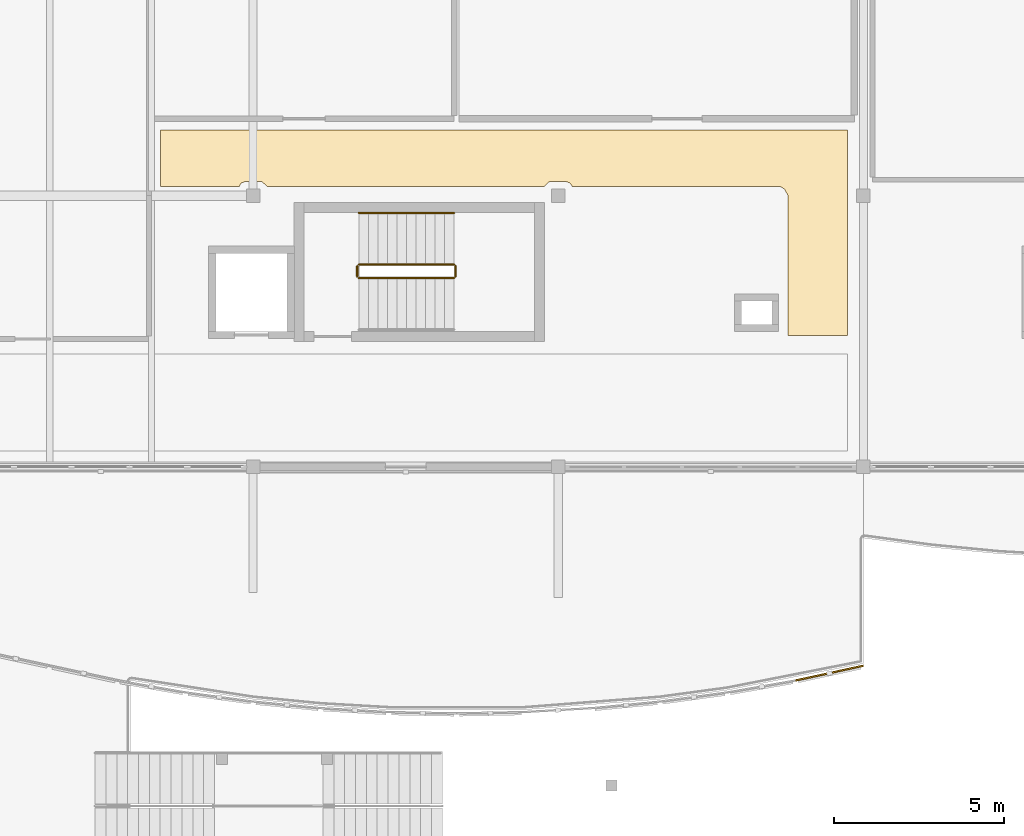
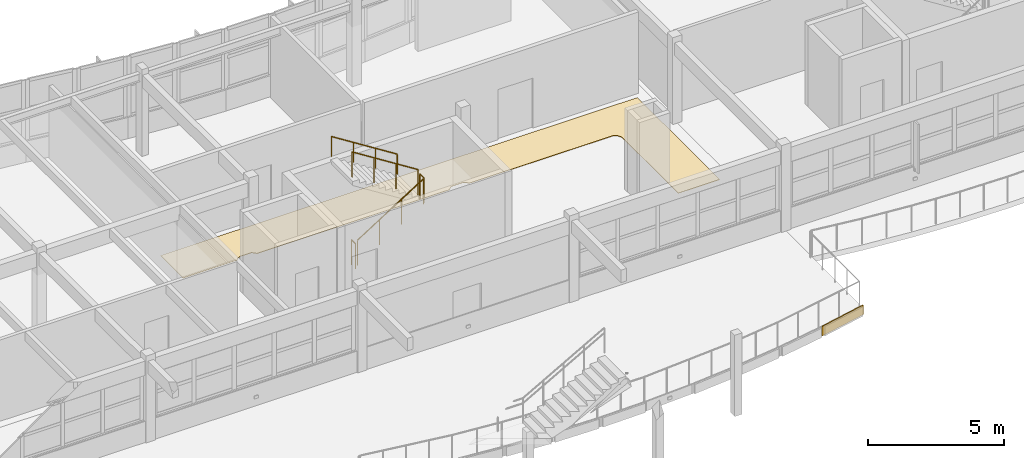
# One storey, part 47 of 52: 5 railings, 2 coverings.
"""IFC4 building model written with IfcOpenShell, lengths in metres."""

from ifc_helpers import new_model, si_unit, direction, frame, origin, origin_2d, place, context, subcontext, project, spatial, polyline, circle, outline, extrude, material, layer, layer_set, type_object, element, save


model = new_model("IFC4")

# Units and contexts
model_context = context("Model", 3, precision=1e-05, world=origin(), true_north=direction((0.0, 1.0)))
body_context = subcontext(model_context, "Body", "Model", "MODEL_VIEW")
ifc_project = project(units=[si_unit("LENGTHUNIT", "METRE"), si_unit("AREAUNIT", "SQUARE_METRE"), si_unit("VOLUMEUNIT", "CUBIC_METRE"), si_unit("PLANEANGLEUNIT", "RADIAN"), si_unit("MASSUNIT", "GRAM", prefix="KILO")], contexts=[model_context])

# Site, building, storey
site_placement = place(None, origin())
site = spatial("IfcSite", under=ifc_project, at=site_placement, CompositionType="ELEMENT")
building_placement = place(site_placement, origin())
building = spatial("IfcBuilding", under=site, at=building_placement, Name="Tonlespit Floodbar School", CompositionType="ELEMENT")
storey_placement = place(building_placement, frame((0.0, 0.0, 12.300048828125)))
storey = spatial("IfcBuildingStorey", under=building, at=storey_placement, Name="L03", CompositionType="ELEMENT", Elevation=12.300048828125)

# Coverings
ifc_material_1 = material(Name="White Architectural Aluminium", Category="aluminium")
ifc_layer_1 = layer(ifc_material_1, 0.050048828125)
ifc_layer_set_1 = layer_set([ifc_layer_1], Name="White Architectural Aluminium")
covering_type_1 = type_object("IfcCoveringType", Name="Cladding_WhiteBand_50", PredefinedType="CLADDING", material=ifc_layer_set_1)
covering_1_placement = place(storey_placement, frame((0.0, 0.0, -0.300048828125)))
element("IfcCovering", 1, at=covering_1_placement, inside=storey, type_object=covering_type_1, Name="L03 curved white spandrel cladding 0296", PredefinedType="CLADDING", context=body_context, shape_type="SweptSolid", body=[
    extrude(outline(polyline([(114.0, 97.72705078125), (116.0, 98.159912109375), (116.0, 98.110107421875), (114.0, 97.677001953125), (114.0, 97.72705078125)])), origin(), (0.0, 0.0, 1.0), 0.419921875),
])
ifc_material_2 = material(Name="Terrazzo Tile")
ifc_layer_2 = layer(ifc_material_2, 0.02001953125)
ifc_layer_set_2 = layer_set([ifc_layer_2], Name="Terrazzo Tile")
covering_type_2 = type_object("IfcCoveringType", Name="Flooring_Terrazzo_20", PredefinedType="FLOORING", material=ifc_layer_set_2)
covering_2_placement = place(storey_placement, origin())
element("IfcCovering", 2, at=covering_2_placement, inside=storey, type_object=covering_type_2, Name="L03 East Lobby Passage L03 terrazzo flooring", PredefinedType="FLOORING", context=body_context, shape_type="SweptSolid", body=[
    extrude(outline(polyline([(97.586669921875, 112.27001953125), (95.27001953125, 112.27001953125), (95.27001953125, 113.929931640625), (115.530029296875, 113.929931640625), (115.530029296875, 107.8701171875), (113.77001953125, 107.8701171875), (113.76904296875, 112.01953125), (113.66845703125, 112.195556640625), (113.552734375, 112.264892578125), (107.413330078125, 112.27001953125), (107.346923828125, 112.37451171875), (107.219970703125, 112.419921875), (106.740966796875, 112.416259765625), (106.586669921875, 112.27001953125), (98.413330078125, 112.27001953125), (98.259033203125, 112.416259765625), (97.780029296875, 112.419921875), (97.653076171875, 112.37451171875), (97.586669921875, 112.27001953125)])), origin(), (0.0, 0.0, 1.0), 0.02001953125),
])

# Railings
ifc_material_3 = material(Name="Galvanised Steel", Category="steel")
railing_type_1 = type_object("IfcRailingType", Name="Guard_Int_1150", PredefinedType="BALUSTRADE", material=ifc_material_3)
railing_1_placement = place(storey_placement, frame((101.1201171875, 109.570068359375, 0.17724609375)))
element("IfcRailing", 3, at=railing_1_placement, inside=storey, type_object=railing_type_1, Name="L03 ST-C2 stair guard 1", PredefinedType="BALUSTRADE", context=body_context, shape_type="SweptSolid", body=[
    extrude(circle(Radius=0.02392578125, at=origin_2d()), frame((0.0, 0.0, 1.1259765625), z_axis=(0.844887892834, 0.0, 0.53494340686), x_axis=(0.0, 1.0, 0.0)), (0.0, 0.0, 1.0), 3.313720703125),
    extrude(circle(Radius=0.02099609375, at=origin_2d()), origin(), (0.0, 0.0, 1.0), 1.101806640625),
    extrude(circle(Radius=0.02099609375, at=origin_2d()), frame((0.933349609375, 0.0, 0.5908203125)), (0.0, 0.0, 1.0), 1.101806640625),
    extrude(circle(Radius=0.02099609375, at=origin_2d()), frame((1.866455078125, 0.0, 1.181884765625)), (0.0, 0.0, 1.0), 1.101806640625),
    extrude(circle(Radius=0.02099609375, at=origin_2d()), frame((2.7998046875, 0.0, 1.772705078125)), (0.0, 0.0, 1.0), 1.101806640625),
])
railing_2_placement = place(storey_placement, frame((103.969970703125, 109.6201171875, 1.949951171875)))
element("IfcRailing", 4, at=railing_2_placement, inside=storey, type_object=railing_type_1, Name="L03 ST-C2 stair guard 2", PredefinedType="BALUSTRADE", context=body_context, shape_type="SweptSolid", body=[
    extrude(circle(Radius=0.02392578125, at=origin_2d()), frame((0.0, 0.0, 1.1259765625), z_axis=(0.0, 1.0, 0.0), x_axis=(-1.0, 0.0, 0.0)), (0.0, 0.0, 1.0), 0.2998046875),
    extrude(circle(Radius=0.02099609375, at=origin_2d()), origin(), (0.0, 0.0, 1.0), 1.101806640625),
    extrude(circle(Radius=0.02099609375, at=origin_2d()), frame((0.0, 0.2998046875, 0.0)), (0.0, 0.0, 1.0), 1.101806640625),
])
railing_3_placement = place(storey_placement, frame((103.919921875, 109.969970703125, 2.127197265625)))
element("IfcRailing", 5, at=railing_3_placement, inside=storey, type_object=railing_type_1, Name="L03 ST-C2 stair guard 3", PredefinedType="BALUSTRADE", context=body_context, shape_type="SweptSolid", body=[
    extrude(circle(Radius=0.02392578125, at=origin_2d()), frame((0.0, 0.0, 1.1259765625), z_axis=(-0.844887892834, 0.0, 0.53494340686), x_axis=(0.0, -1.0, 0.0)), (0.0, 0.0, 1.0), 3.313720703125),
    extrude(circle(Radius=0.02099609375, at=origin_2d()), origin(), (0.0, 0.0, 1.0), 1.101806640625),
    extrude(circle(Radius=0.02099609375, at=origin_2d()), frame((-0.933349609375, 0.0, 0.5908203125)), (0.0, 0.0, 1.0), 1.101806640625),
    extrude(circle(Radius=0.02099609375, at=origin_2d()), frame((-1.866455078125, 0.0, 1.181884765625)), (0.0, 0.0, 1.0), 1.101806640625),
    extrude(circle(Radius=0.02099609375, at=origin_2d()), frame((-2.7998046875, 0.0, 1.772705078125)), (0.0, 0.0, 1.0), 1.101806640625),
])
railing_4_placement = place(storey_placement, frame((101.070068359375, 109.6201171875, 0.0)))
element("IfcRailing", 6, at=railing_4_placement, inside=storey, type_object=railing_type_1, Name="L03 ST-C2 stair guard 4", PredefinedType="BALUSTRADE", context=body_context, shape_type="SweptSolid", body=[
    extrude(circle(Radius=0.02392578125, at=origin_2d()), frame((0.0, 0.0, 1.1259765625), z_axis=(0.0, 1.0, 0.0), x_axis=(-1.0, 0.0, 0.0)), (0.0, 0.0, 1.0), 0.2998046875),
    extrude(circle(Radius=0.02099609375, at=origin_2d()), origin(), (0.0, 0.0, 1.0), 1.101806640625),
    extrude(circle(Radius=0.02099609375, at=origin_2d()), frame((0.0, 0.2998046875, 0.0)), (0.0, 0.0, 1.0), 1.101806640625),
])
railing_type_2 = type_object("IfcRailingType", Name="Handrail_Int_920", PredefinedType="HANDRAIL", material=ifc_material_3)
railing_5_placement = place(storey_placement, frame((103.919921875, 111.489990234375, 2.127197265625)))
element("IfcRailing", 7, at=railing_5_placement, inside=storey, type_object=railing_type_2, Name="L03 ST-C2 stair handrail 2", PredefinedType="HANDRAIL", context=body_context, shape_type="SweptSolid", body=[
    extrude(circle(Radius=0.02392578125, at=origin_2d()), frame((0.0, 0.0, 0.89599609375), z_axis=(-0.844887892834, 0.0, 0.53494340686), x_axis=(0.0, -1.0, 0.0)), (0.0, 0.0, 1.0), 3.313720703125),
    extrude(circle(Radius=0.02099609375, at=origin_2d()), origin(), (0.0, 0.0, 1.0), 0.871826171875),
    extrude(circle(Radius=0.02099609375, at=origin_2d()), frame((-0.933349609375, 0.0, 0.5908203125)), (0.0, 0.0, 1.0), 0.871826171875),
    extrude(circle(Radius=0.02099609375, at=origin_2d()), frame((-1.866455078125, 0.0, 1.181884765625)), (0.0, 0.0, 1.0), 0.871826171875),
    extrude(circle(Radius=0.02099609375, at=origin_2d()), frame((-2.7998046875, 0.0, 1.772705078125)), (0.0, 0.0, 1.0), 0.871826171875),
])

save(model, "model.ifc")
